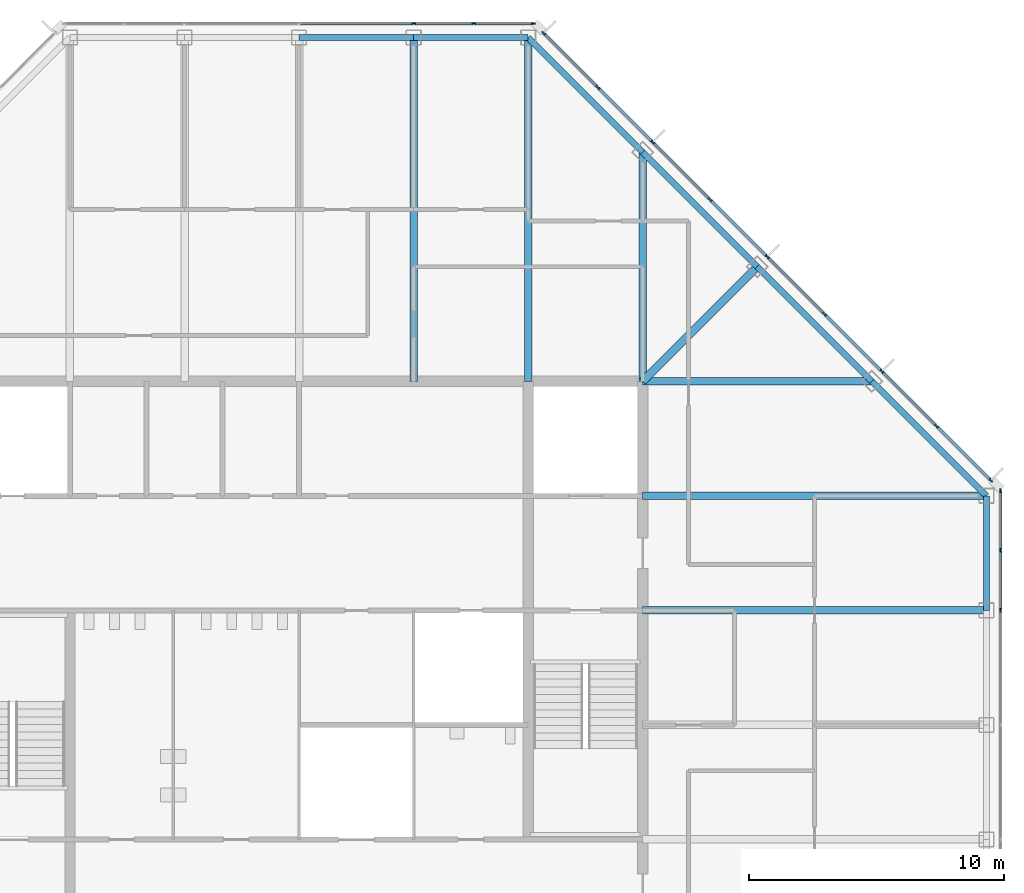
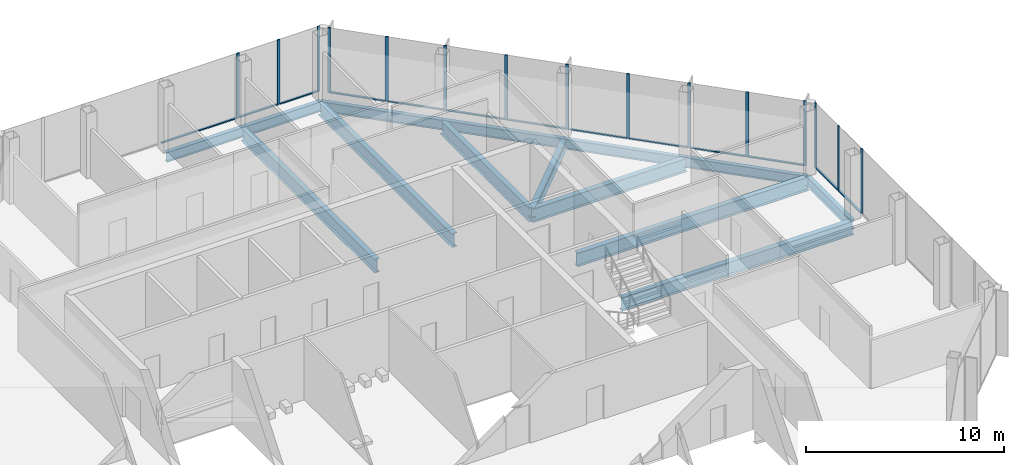
# One storey, part 7 of 14: 28 members, 14 beams, 3 elements without a shape of their own.
"""IFC4 building model written with IfcOpenShell, lengths in metres."""

import ifcopenshell
import ifcopenshell.guid

model = None  # the IFC model being written
_history = None  # IfcOwnerHistory: only IFC2X3 demands one
_inside = {}  # id of a spatial element -> (the spatial element, [elements in it])
_under = {}  # id of a project, library or spatial element -> (it, [spatial elements below it])
_declared = {}  # id of a project -> (the project, [libraries it declares])
_typed = {}  # id of a type object -> (the type object, [elements of that type])
_made_of = {}  # id of a material, layer set ... -> (it, [elements and type objects made of it])


def new_model(schema):
    """Start an empty IFC model of exactly this schema.

    Asked for "IFC4X3", IfcOpenShell would pick the latest addendum, in which some entities
    have other attributes; the version numbers below select the first issue.
    IFC2X3 requires an IfcOwnerHistory on every rooted entity: one is made here for all.
    """
    global model, _history
    if schema == "IFC4X3":
        model = ifcopenshell.file(schema_version=(4, 3, 0, 0))
    else:
        model = ifcopenshell.file(schema=schema)
    _inside.clear()
    _under.clear()
    _declared.clear()
    _typed.clear()
    _made_of.clear()
    _history = None
    if model.schema == "IFC2X3":
        org = make("IfcOrganization", Name="unknown")
        user = make(
            "IfcPersonAndOrganization",
            ThePerson=make("IfcPerson", FamilyName="unknown"),
            TheOrganization=org,
        )
        app = make(
            "IfcApplication",
            ApplicationDeveloper=org,
            Version="unknown",
            ApplicationFullName="unknown",
            ApplicationIdentifier="unknown",
        )
        _history = make(
            "IfcOwnerHistory",
            OwningUser=user,
            OwningApplication=app,
            ChangeAction="ADDED",
            CreationDate=0,
        )
    return model


def make(cls, **values):
    """One entity of the class cls with the attributes given. An attribute that is None is left unset."""
    return model.create_entity(
        cls, **{name: value for name, value in values.items() if value is not None}
    )


def rooted(cls, **values):
    """An entity with a GlobalId (a new one), such as an element, a storey or a relation."""
    return make(cls, GlobalId=ifcopenshell.guid.new(), OwnerHistory=_history, **values)


def si_unit(unit_type, name, prefix=None):
    """IfcSIUnit, for example si_unit("LENGTHUNIT", "METRE", prefix="MILLI")."""
    return make("IfcSIUnit", UnitType=unit_type, Prefix=prefix, Name=name)


def assignment(units):
    """IfcUnitAssignment: the units of a project."""
    return None if units is None else make("IfcUnitAssignment", Units=units)


def point(xyz):
    """IfcCartesianPoint."""
    return None if xyz is None else make("IfcCartesianPoint", Coordinates=xyz)


def direction(xyz):
    """IfcDirection."""
    return None if xyz is None else make("IfcDirection", DirectionRatios=xyz)


def frame(location, z_axis=None, x_axis=None):
    """IfcAxis2Placement3D, a coordinate frame: its origin and axes. An axis left out is left unset."""
    return make(
        "IfcAxis2Placement3D",
        Location=point(location),
        Axis=direction(z_axis),
        RefDirection=direction(x_axis),
    )


def frame_2d(location, x_axis=None):
    """IfcAxis2Placement2D, a coordinate frame in the plane: its origin and x axis."""
    return make(
        "IfcAxis2Placement2D", Location=point(location), RefDirection=direction(x_axis)
    )


def origin():
    """The frame at (0, 0, 0) with its axes left unset."""
    return frame((0.0, 0.0, 0.0))


def origin_2d():
    """The frame at (0, 0) in the plane with its x axis left unset."""
    return frame_2d((0.0, 0.0))


def place(relative_to, where):
    """IfcLocalPlacement: puts the frame where relative to a parent placement (None: the world)."""
    return make(
        "IfcLocalPlacement", PlacementRelTo=relative_to, RelativePlacement=where
    )


def context(
    kind, dimensions, precision=None, world=None, true_north=None, identifier=None
):
    """IfcGeometricRepresentationContext, for example the 3D "Model" context."""
    return make(
        "IfcGeometricRepresentationContext",
        ContextIdentifier=identifier,
        ContextType=kind,
        CoordinateSpaceDimension=dimensions,
        Precision=precision,
        WorldCoordinateSystem=world,
        TrueNorth=true_north,
    )


def subcontext(parent, identifier, kind, view, scale=None):
    """IfcGeometricRepresentationSubContext, for example "Body" below "Model"."""
    return make(
        "IfcGeometricRepresentationSubContext",
        ContextIdentifier=identifier,
        ContextType=kind,
        ParentContext=parent,
        TargetScale=scale,
        TargetView=view,
    )


def project(units=None, contexts=None):
    """IfcProject with its units and contexts."""
    return rooted(
        "IfcProject",
        Name="project",
        RepresentationContexts=contexts,
        UnitsInContext=assignment(units),
    )


def spatial(cls, under=None, at=None, **own):
    """A site, building, storey or space (cls), placed at a placement, below another one or the project."""
    s = rooted(cls, ObjectPlacement=at, **own)
    if under is not None:
        _under.setdefault(under.id(), (under, []))[1].append(s)
    return s


def profile(cls, at=None, kind="AREA", **sizes):
    """A parametric profile (cls). Its sizes go by their IFC names, for example OverallWidth=200.0."""
    return make(cls, ProfileType=kind, Position=at, **sizes)


def rectangle(**sizes):
    """IfcRectangleProfileDef."""
    return profile("IfcRectangleProfileDef", **sizes)


def i_section(**sizes):
    """IfcIShapeProfileDef."""
    return profile("IfcIShapeProfileDef", **sizes)


def extrude(swept, where, along, depth):
    """IfcExtrudedAreaSolid: the profile swept, set in the frame where, extruded along a direction by depth."""
    return make(
        "IfcExtrudedAreaSolid",
        SweptArea=swept,
        Position=where,
        ExtrudedDirection=direction(along),
        Depth=depth,
    )


def shape(context_of_items, identifier, shape_type, items):
    """IfcShapeRepresentation: the items that make up one representation, for example the "Body"."""
    return make(
        "IfcShapeRepresentation",
        ContextOfItems=context_of_items,
        RepresentationIdentifier=identifier,
        RepresentationType=shape_type,
        Items=items,
    )


def material(Name=None, Category=None):
    """IfcMaterial."""
    return make("IfcMaterial", Name=Name, Category=Category)


def material_profile(
    of_material, cross_section, Name=None, Category=None, Priority=None
):
    """IfcMaterialProfile: a cross section and its material."""
    return make(
        "IfcMaterialProfile",
        Name=Name,
        Material=of_material,
        Profile=cross_section,
        Priority=Priority,
        Category=Category,
    )


def profile_set(profiles, Name=None, composite=None):
    """IfcMaterialProfileSet."""
    return make(
        "IfcMaterialProfileSet",
        Name=Name,
        MaterialProfiles=profiles,
        CompositeProfile=composite,
    )


def made_of(thing, what):
    """Note that an element or type object is made of a material, layer set ...; save() writes the relation."""
    if what is not None:
        _made_of.setdefault(what.id(), (what, []))[1].append(thing)
    return thing


def type_object(cls, material=None, **own):
    """A type object (cls), such as IfcWallType, which elements share."""
    return made_of(rooted(cls, **own), material)


def element(
    cls,
    number,
    at=None,
    inside=None,
    cuts=None,
    type_object=None,
    material=None,
    context=None,
    identifier="Body",
    shape_type=None,
    held_by="IfcProductDefinitionShape",
    body=None,
    shapes=None,
    **own,
):
    """One element of the class cls, such as IfcWall. Its Tag is "e" and its number.

    at: its placement. inside: the storey or other place that contains it. cuts: it is an
    opening in that element (IfcRelVoidsElement). A single representation is given by context,
    identifier, shape_type and body (its items); several are given by shapes. held_by: the class
    of the entity that holds the representations. save() writes the other relations.
    """
    e = rooted(cls, Tag="e%d" % number, ObjectPlacement=at, **own)
    if body is not None:
        shapes = [shape(context, identifier, shape_type, body)]
    if shapes is not None:
        e.Representation = make(held_by, Representations=shapes)
    if inside is not None:
        _inside.setdefault(inside.id(), (inside, []))[1].append(e)
    if cuts is not None:
        rooted(
            "IfcRelVoidsElement", RelatingBuildingElement=cuts, RelatedOpeningElement=e
        )
    if type_object is not None:
        _typed.setdefault(type_object.id(), (type_object, []))[1].append(e)
    return made_of(e, material)


def aggregate(whole, parts):
    """IfcRelAggregates: a whole, such as a stair, and the parts it consists of."""
    return rooted("IfcRelAggregates", RelatingObject=whole, RelatedObjects=parts)


def save(model, path):
    """Write the relations noted so far, then the file.

    IfcRelAggregates (storeys below a building ...), IfcRelContainedInSpatialStructure (elements
    in a storey), IfcRelDefinesByType, IfcRelAssociatesMaterial and IfcRelDeclares: one each for
    every whole, place, type object, material and project.
    """
    for whole, parts in _under.values():
        aggregate(whole, parts)
    for where, things in _inside.values():
        rooted(
            "IfcRelContainedInSpatialStructure",
            RelatedElements=things,
            RelatingStructure=where,
        )
    for kind, things in _typed.values():
        rooted("IfcRelDefinesByType", RelatedObjects=things, RelatingType=kind)
    for what, things in _made_of.values():
        rooted("IfcRelAssociatesMaterial", RelatedObjects=things, RelatingMaterial=what)
    for by, libraries in _declared.values():
        rooted("IfcRelDeclares", RelatingContext=by, RelatedDefinitions=libraries)
    model.write(path)


model = new_model("IFC4")

# Units and contexts
model_context = context("Model", 3, precision=1e-05, world=origin(), true_north=direction((0.0, 1.0)))
body_context = subcontext(model_context, "Body", "Model", "MODEL_VIEW")
ifc_project = project(units=[si_unit("LENGTHUNIT", "METRE"), si_unit("AREAUNIT", "SQUARE_METRE"), si_unit("VOLUMEUNIT", "CUBIC_METRE"), si_unit("PLANEANGLEUNIT", "RADIAN"), si_unit("MASSUNIT", "GRAM", prefix="KILO")], contexts=[model_context])

# Site, building, storey
site_placement = place(None, origin())
site = spatial("IfcSite", under=ifc_project, at=site_placement, CompositionType="ELEMENT")
building_placement = place(site_placement, origin())
building = spatial("IfcBuilding", under=site, at=building_placement, Name="Corais Broadcast Tower", CompositionType="ELEMENT")
storey_placement = place(building_placement, frame((0.0, 0.0, 290.60009765625)))
storey = spatial("IfcBuildingStorey", under=building, at=storey_placement, Name="L68", CompositionType="ELEMENT", Elevation=290.60009765625)

# Beams
ifc_material_1 = material(Name="Steel ASTM A572 Grade 50", Category="steel")
ifc_material_profile_1 = material_profile(ifc_material_1, i_section(OverallWidth=0.323974609375, OverallDepth=0.611083984375, WebThickness=0.0126953125, FlangeThickness=0.01904296875, at=origin_2d()), Name="W610x155")
ifc_profile_set_1 = profile_set([ifc_material_profile_1], Name="Steel ASTM A572 Grade 50")
beam_type_1 = type_object("IfcBeamType", Name="Corner diagonal W610x155", PredefinedType="BEAM", material=ifc_profile_set_1)
beam_1_placement = place(storey_placement, frame((45.0, 45.0, -0.465576171875), z_axis=(-0.707106781187, -0.707106781187, 0.0), x_axis=(0.707106781187, -0.707106781187, 0.0)))
element("IfcBeam", 1, at=beam_1_placement, inside=storey, type_object=beam_type_1, Name="B6 L/13 to K/12", PredefinedType="BEAM", context=body_context, shape_type="SweptSolid", body=[
    extrude(i_section(OverallWidth=0.323974609375, OverallDepth=0.611083984375, WebThickness=0.0126953125, FlangeThickness=0.01904296875, at=origin_2d()), origin(), (0.0, 0.0, 1.0), 6.364013671875),
])
ifc_material_2 = material(Name="Steel ASTM A572 Grade 50", Category="steel")
ifc_material_profile_2 = material_profile(ifc_material_2, i_section(OverallWidth=0.2939453125, OverallDepth=0.85107421875, WebThickness=0.01611328125, FlangeThickness=0.02685546875, at=origin_2d()), Name="W840x226")
ifc_profile_set_2 = profile_set([ifc_material_profile_2], Name="Steel ASTM A572 Grade 50")
beam_type_2 = type_object("IfcBeamType", Name="Floor beam W840x226", PredefinedType="BEAM", material=ifc_profile_set_2)
for number, where, z_axis, x_axis, name in (
    (2, (31.5, 54.0, -0.585693359375), (0.0, -1.0, 0.0), (1.0, 0.0, 0.0), "B1 N/10 to K/10"),
    (3, (36.0, 54.0, -0.585693359375), (0.0, -1.0, 0.0), (1.0, 0.0, 0.0), "B1 N/11 to K/11"),
):
    element("IfcBeam", number, at=place(storey_placement, frame(where, z_axis=z_axis, x_axis=x_axis)), inside=storey, type_object=beam_type_2, Name=name, PredefinedType="BEAM", context=body_context, shape_type="SweptSolid", body=[
        extrude(i_section(OverallWidth=0.2939453125, OverallDepth=0.85107421875, WebThickness=0.01611328125, FlangeThickness=0.02685546875, at=origin_2d()), origin(), (0.0, 0.0, 1.0), 13.5),
    ])
for number, where, z_axis, x_axis, name in (
    (4, (40.5, 49.5, -0.585693359375), (0.0, -1.0, 0.0), (1.0, 0.0, 0.0), "B1 M/12 to K/12"),
    (5, (49.5, 40.5, -0.585693359375), (-1.0, 0.0, 0.0), (0.0, -1.0, 0.0), "B1 K/14 to K/12"),
):
    element("IfcBeam", number, at=place(storey_placement, frame(where, z_axis=z_axis, x_axis=x_axis)), inside=storey, type_object=beam_type_2, Name=name, PredefinedType="BEAM", context=body_context, shape_type="SweptSolid", body=[
        extrude(i_section(OverallWidth=0.2939453125, OverallDepth=0.85107421875, WebThickness=0.01611328125, FlangeThickness=0.02685546875, at=origin_2d()), origin(), (0.0, 0.0, 1.0), 9.0),
    ])
for number, where, z_axis, x_axis, name in (
    (6, (54.0, 31.5, -0.585693359375), (-1.0, 0.0, 0.0), (0.0, -1.0, 0.0), "B1 H/15 to H/12"),
    (7, (54.0, 36.0, -0.585693359375), (-1.0, 0.0, 0.0), (0.0, -1.0, 0.0), "B1 J/15 to J/12"),
):
    element("IfcBeam", number, at=place(storey_placement, frame(where, z_axis=z_axis, x_axis=x_axis)), inside=storey, type_object=beam_type_2, Name=name, PredefinedType="BEAM", context=body_context, shape_type="SweptSolid", body=[
        extrude(i_section(OverallWidth=0.2939453125, OverallDepth=0.85107421875, WebThickness=0.01611328125, FlangeThickness=0.02685546875, at=origin_2d()), origin(), (0.0, 0.0, 1.0), 13.5),
    ])

# Curtain wall, members
ifc_material_3 = material(Name="Aluminium and glass", Category="aluminium")
curtain_wall_type = type_object("IfcCurtainWallType", Name="Unitised fritted curtain wall CW3", PredefinedType="NOTDEFINED", material=ifc_material_3)
curtain_wall_1_placement = place(storey_placement, origin())
curtain_wall_1 = element("IfcCurtainWall", 8, at=curtain_wall_1_placement, inside=storey, type_object=curtain_wall_type, Name="CW3 curtain wall L68 4", PredefinedType="NOTDEFINED")
ifc_material_4 = material(Name="Aluminium 6063-T6", Category="aluminium")
ifc_material_profile_3 = material_profile(ifc_material_4, rectangle(XDim=0.06494140625, YDim=0.159912109375, at=origin_2d()), Name="Mullion CW3 65x160")
ifc_profile_set_3 = profile_set([ifc_material_profile_3], Name="Aluminium 6063-T6")
member_type_1 = type_object("IfcMemberType", Name="Mullion CW3 65x160", PredefinedType="MULLION", material=ifc_profile_set_3)
member_1_placement = place(storey_placement, frame((31.5, 54.550048828125, 0.0), z_axis=(0.0, 0.0, 1.0), x_axis=(0.0, 1.0, 0.0)))
member_1 = element("IfcMember", 9, at=member_1_placement, type_object=member_type_1, Name="CW3 mullion 5", PredefinedType="MULLION", context=body_context, shape_type="SweptSolid", body=[
    extrude(rectangle(XDim=0.06494140625, YDim=0.159912109375, at=origin_2d()), origin(), (0.0, 0.0, 1.0), 4.0),
])
member_2_placement = place(storey_placement, frame((33.864013671875, 54.550048828125, 0.0), z_axis=(0.0, 0.0, 1.0), x_axis=(0.0, 1.0, 0.0)))
member_2 = element("IfcMember", 10, at=member_2_placement, type_object=member_type_1, Name="CW3 mullion 6", PredefinedType="MULLION", context=body_context, shape_type="SweptSolid", body=[
    extrude(rectangle(XDim=0.06494140625, YDim=0.159912109375, at=origin_2d()), origin(), (0.0, 0.0, 1.0), 4.0),
])
member_3_placement = place(storey_placement, frame((36.1953125, 54.550048828125, 0.0), z_axis=(0.0, 0.0, 1.0), x_axis=(0.0, 1.0, 0.0)))
member_3 = element("IfcMember", 11, at=member_3_placement, type_object=member_type_1, Name="CW3 mullion 7", PredefinedType="MULLION", context=body_context, shape_type="SweptSolid", body=[
    extrude(rectangle(XDim=0.06494140625, YDim=0.159912109375, at=origin_2d()), origin(), (0.0, 0.0, 1.0), 4.0),
])

curtain_wall_2_placement = place(storey_placement, origin())
curtain_wall_2 = element("IfcCurtainWall", 12, at=curtain_wall_2_placement, inside=storey, type_object=curtain_wall_type, Name="CW3 curtain wall L68 5", PredefinedType="NOTDEFINED")
member_4_placement = place(storey_placement, frame((36.6044921875, 54.17333984375, 0.0), z_axis=(0.0, 0.0, 1.0), x_axis=(0.707106781187, 0.707106781187, 0.0)))
member_4 = element("IfcMember", 13, at=member_4_placement, type_object=member_type_1, Name="CW3 mullion 1", PredefinedType="MULLION", context=body_context, shape_type="SweptSolid", body=[
    extrude(rectangle(XDim=0.06494140625, YDim=0.159912109375, at=origin_2d()), origin(), (0.0, 0.0, 1.0), 4.0),
])
member_5_placement = place(storey_placement, frame((38.735107421875, 52.042724609375, 0.0), z_axis=(0.0, 0.0, 1.0), x_axis=(0.707106781187, 0.707106781187, 0.0)))
member_5 = element("IfcMember", 14, at=member_5_placement, type_object=member_type_1, Name="CW3 mullion 2", PredefinedType="MULLION", context=body_context, shape_type="SweptSolid", body=[
    extrude(rectangle(XDim=0.06494140625, YDim=0.159912109375, at=origin_2d()), origin(), (0.0, 0.0, 1.0), 4.0),
])
member_6_placement = place(storey_placement, frame((40.888916015625, 49.888916015625, 0.0), z_axis=(0.0, 0.0, 1.0), x_axis=(0.707106781187, 0.707106781187, 0.0)))
member_6 = element("IfcMember", 15, at=member_6_placement, type_object=member_type_1, Name="CW3 mullion 3", PredefinedType="MULLION", context=body_context, shape_type="SweptSolid", body=[
    extrude(rectangle(XDim=0.06494140625, YDim=0.159912109375, at=origin_2d()), origin(), (0.0, 0.0, 1.0), 4.0),
])
member_7_placement = place(storey_placement, frame((43.138916015625, 47.638916015625, 0.0), z_axis=(0.0, 0.0, 1.0), x_axis=(0.707106781187, 0.707106781187, 0.0)))
member_7 = element("IfcMember", 16, at=member_7_placement, type_object=member_type_1, Name="CW3 mullion 4", PredefinedType="MULLION", context=body_context, shape_type="SweptSolid", body=[
    extrude(rectangle(XDim=0.06494140625, YDim=0.159912109375, at=origin_2d()), origin(), (0.0, 0.0, 1.0), 4.0),
])
member_8_placement = place(storey_placement, frame((45.388916015625, 45.388916015625, 0.0), z_axis=(0.0, 0.0, 1.0), x_axis=(0.707106781187, 0.707106781187, 0.0)))
member_8 = element("IfcMember", 17, at=member_8_placement, type_object=member_type_1, Name="CW3 mullion 5", PredefinedType="MULLION", context=body_context, shape_type="SweptSolid", body=[
    extrude(rectangle(XDim=0.06494140625, YDim=0.159912109375, at=origin_2d()), origin(), (0.0, 0.0, 1.0), 4.0),
])
member_9_placement = place(storey_placement, frame((47.638916015625, 43.138916015625, 0.0), z_axis=(0.0, 0.0, 1.0), x_axis=(0.707106781187, 0.707106781187, 0.0)))
member_9 = element("IfcMember", 18, at=member_9_placement, type_object=member_type_1, Name="CW3 mullion 6", PredefinedType="MULLION", context=body_context, shape_type="SweptSolid", body=[
    extrude(rectangle(XDim=0.06494140625, YDim=0.159912109375, at=origin_2d()), origin(), (0.0, 0.0, 1.0), 4.0),
])
member_10_placement = place(storey_placement, frame((49.888916015625, 40.888916015625, 0.0), z_axis=(0.0, 0.0, 1.0), x_axis=(0.707106781187, 0.707106781187, 0.0)))
member_10 = element("IfcMember", 19, at=member_10_placement, type_object=member_type_1, Name="CW3 mullion 7", PredefinedType="MULLION", context=body_context, shape_type="SweptSolid", body=[
    extrude(rectangle(XDim=0.06494140625, YDim=0.159912109375, at=origin_2d()), origin(), (0.0, 0.0, 1.0), 4.0),
])
member_11_placement = place(storey_placement, frame((52.042724609375, 38.735107421875, 0.0), z_axis=(0.0, 0.0, 1.0), x_axis=(0.707106781187, 0.707106781187, 0.0)))
member_11 = element("IfcMember", 20, at=member_11_placement, type_object=member_type_1, Name="CW3 mullion 8", PredefinedType="MULLION", context=body_context, shape_type="SweptSolid", body=[
    extrude(rectangle(XDim=0.06494140625, YDim=0.159912109375, at=origin_2d()), origin(), (0.0, 0.0, 1.0), 4.0),
])
member_12_placement = place(storey_placement, frame((54.17333984375, 36.6044921875, 0.0), z_axis=(0.0, 0.0, 1.0), x_axis=(0.707106781187, 0.707106781187, 0.0)))
member_12 = element("IfcMember", 21, at=member_12_placement, type_object=member_type_1, Name="CW3 mullion 9", PredefinedType="MULLION", context=body_context, shape_type="SweptSolid", body=[
    extrude(rectangle(XDim=0.06494140625, YDim=0.159912109375, at=origin_2d()), origin(), (0.0, 0.0, 1.0), 4.0),
])

curtain_wall_3_placement = place(storey_placement, origin())
curtain_wall_3 = element("IfcCurtainWall", 22, at=curtain_wall_3_placement, inside=storey, type_object=curtain_wall_type, Name="CW3 curtain wall L68 6", PredefinedType="NOTDEFINED")
member_13_placement = place(storey_placement, frame((54.550048828125, 36.1953125, 0.0), z_axis=(0.0, 0.0, 1.0), x_axis=(1.0, 0.0, 0.0)))
member_13 = element("IfcMember", 23, at=member_13_placement, type_object=member_type_1, Name="CW3 mullion 1", PredefinedType="MULLION", context=body_context, shape_type="SweptSolid", body=[
    extrude(rectangle(XDim=0.06494140625, YDim=0.159912109375, at=origin_2d()), origin(), (0.0, 0.0, 1.0), 4.0),
])
member_14_placement = place(storey_placement, frame((54.550048828125, 33.864013671875, 0.0), z_axis=(0.0, 0.0, 1.0), x_axis=(1.0, 0.0, 0.0)))
member_14 = element("IfcMember", 24, at=member_14_placement, type_object=member_type_1, Name="CW3 mullion 2", PredefinedType="MULLION", context=body_context, shape_type="SweptSolid", body=[
    extrude(rectangle(XDim=0.06494140625, YDim=0.159912109375, at=origin_2d()), origin(), (0.0, 0.0, 1.0), 4.0),
])
member_15_placement = place(storey_placement, frame((54.550048828125, 31.5, 0.0), z_axis=(0.0, 0.0, 1.0), x_axis=(1.0, 0.0, 0.0)))
member_15 = element("IfcMember", 25, at=member_15_placement, type_object=member_type_1, Name="CW3 mullion 3", PredefinedType="MULLION", context=body_context, shape_type="SweptSolid", body=[
    extrude(rectangle(XDim=0.06494140625, YDim=0.159912109375, at=origin_2d()), origin(), (0.0, 0.0, 1.0), 4.0),
])

# Beams
ifc_material_5 = material(Name="Steel ASTM A572 Grade 50", Category="steel")
ifc_material_profile_4 = material_profile(ifc_material_5, i_section(OverallWidth=0.22998046875, OverallDepth=0.616943359375, WebThickness=0.01318359375, FlangeThickness=0.022216796875, at=origin_2d()), Name="W610x140")
ifc_profile_set_4 = profile_set([ifc_material_profile_4], Name="Steel ASTM A572 Grade 50")
beam_type_3 = type_object("IfcBeamType", Name="Spandrel W610x140", PredefinedType="BEAM", material=ifc_profile_set_4)
for number, where, z_axis, x_axis, name in (
    (26, (31.5, 54.0, -0.468505859375), (-1.0, 0.0, 0.0), (0.0, -1.0, 0.0), "SB3 N/10 to N/9"),
    (27, (36.0, 54.0, -0.468505859375), (-1.0, 0.0, 0.0), (0.0, -1.0, 0.0), "SB3 N/11 to N/10"),
):
    element("IfcBeam", number, at=place(storey_placement, frame(where, z_axis=z_axis, x_axis=x_axis)), inside=storey, type_object=beam_type_3, Name=name, PredefinedType="BEAM", context=body_context, shape_type="SweptSolid", body=[
        extrude(i_section(OverallWidth=0.22998046875, OverallDepth=0.616943359375, WebThickness=0.01318359375, FlangeThickness=0.022216796875, at=origin_2d()), origin(), (0.0, 0.0, 1.0), 4.5),
    ])
for number, where, z_axis, x_axis, name in (
    (28, (40.5, 49.5, -0.468505859375), (-0.707106781187, 0.707106781187, 0.0), (-0.707106781187, -0.707106781187, 0.0), "SB3 M/12 to N/11"),
    (29, (45.0, 45.0, -0.468505859375), (-0.707106781187, 0.707106781187, 0.0), (-0.707106781187, -0.707106781187, 0.0), "SB3 L/13 to M/12"),
    (30, (49.5, 40.5, -0.468505859375), (-0.707106781187, 0.707106781187, 0.0), (-0.707106781187, -0.707106781187, 0.0), "SB3 K/14 to L/13"),
):
    element("IfcBeam", number, at=place(storey_placement, frame(where, z_axis=z_axis, x_axis=x_axis)), inside=storey, type_object=beam_type_3, Name=name, PredefinedType="BEAM", context=body_context, shape_type="SweptSolid", body=[
        extrude(i_section(OverallWidth=0.22998046875, OverallDepth=0.616943359375, WebThickness=0.01318359375, FlangeThickness=0.022216796875, at=origin_2d()), origin(), (0.0, 0.0, 1.0), 6.364013671875),
    ])
beam_2_placement = place(storey_placement, frame((54.0, 31.5, -0.468505859375), z_axis=(0.0, 1.0, 0.0), x_axis=(-1.0, 0.0, 0.0)))
element("IfcBeam", 31, at=beam_2_placement, inside=storey, type_object=beam_type_3, Name="SB3 H/15 to J/15", PredefinedType="BEAM", context=body_context, shape_type="SweptSolid", body=[
    extrude(i_section(OverallWidth=0.22998046875, OverallDepth=0.616943359375, WebThickness=0.01318359375, FlangeThickness=0.022216796875, at=origin_2d()), origin(), (0.0, 0.0, 1.0), 4.5),
])
beam_3_placement = place(storey_placement, frame((54.0, 36.0, -0.468505859375), z_axis=(-0.707106781187, 0.707106781187, 0.0), x_axis=(-0.707106781187, -0.707106781187, 0.0)))
element("IfcBeam", 32, at=beam_3_placement, inside=storey, type_object=beam_type_3, Name="SB3 J/15 to K/14", PredefinedType="BEAM", context=body_context, shape_type="SweptSolid", body=[
    extrude(i_section(OverallWidth=0.22998046875, OverallDepth=0.616943359375, WebThickness=0.01318359375, FlangeThickness=0.022216796875, at=origin_2d()), origin(), (0.0, 0.0, 1.0), 6.364013671875),
])

# Member
ifc_material_6 = material(Name="Aluminium 6063-T6", Category="aluminium")
ifc_material_profile_5 = material_profile(ifc_material_6, rectangle(XDim=0.1201171875, YDim=0.06494140625, at=origin_2d()), Name="Transom CW3 65x120")
ifc_profile_set_5 = profile_set([ifc_material_profile_5], Name="Aluminium 6063-T6")
member_type_2 = type_object("IfcMemberType", Name="Transom CW3 65x120", PredefinedType="USERDEFINED", material=ifc_profile_set_5)
member_16_placement = place(storey_placement, frame((27.032470703125, 54.550048828125, 0.032470703125), z_axis=(1.0, 0.0, 0.0), x_axis=(0.0, 1.0, 0.0)))
member_16 = element("IfcMember", 33, at=member_16_placement, type_object=member_type_2, Name="CW3 transom 4.1", ObjectType="TRANSOM", PredefinedType="USERDEFINED", context=body_context, shape_type="SweptSolid", body=[
    extrude(rectangle(XDim=0.1201171875, YDim=0.06494140625, at=origin_2d()), origin(), (0.0, 0.0, 1.0), 4.43505859375),
])

member_17_placement = place(storey_placement, frame((31.532470703125, 54.550048828125, 0.032470703125), z_axis=(1.0, 0.0, 0.0), x_axis=(0.0, 1.0, 0.0)))
member_17 = element("IfcMember", 34, at=member_17_placement, type_object=member_type_2, Name="CW3 transom 5.1", ObjectType="TRANSOM", PredefinedType="USERDEFINED", context=body_context, shape_type="SweptSolid", body=[
    extrude(rectangle(XDim=0.1201171875, YDim=0.06494140625, at=origin_2d()), origin(), (0.0, 0.0, 1.0), 2.298828125),
])

member_18_placement = place(storey_placement, frame((33.896484375, 54.550048828125, 0.032470703125), z_axis=(1.0, 0.0, 0.0), x_axis=(0.0, 1.0, 0.0)))
member_18 = element("IfcMember", 35, at=member_18_placement, type_object=member_type_2, Name="CW3 transom 6.1", ObjectType="TRANSOM", PredefinedType="USERDEFINED", context=body_context, shape_type="SweptSolid", body=[
    extrude(rectangle(XDim=0.1201171875, YDim=0.06494140625, at=origin_2d()), origin(), (0.0, 0.0, 1.0), 2.266357421875),
])

aggregate(curtain_wall_1, [member_1, member_2, member_3, member_16, member_17, member_18])

member_19_placement = place(storey_placement, frame((36.62744140625, 54.150390625, 0.032470703125), z_axis=(0.707106781187, -0.707106781187, 0.0), x_axis=(0.707106781187, 0.707106781187, 0.0)))
member_19 = element("IfcMember", 36, at=member_19_placement, type_object=member_type_2, Name="CW3 transom 1.1", ObjectType="TRANSOM", PredefinedType="USERDEFINED", context=body_context, shape_type="SweptSolid", body=[
    extrude(rectangle(XDim=0.1201171875, YDim=0.06494140625, at=origin_2d()), origin(), (0.0, 0.0, 1.0), 2.9482421875),
])

member_20_placement = place(storey_placement, frame((38.758056640625, 52.019775390625, 0.032470703125), z_axis=(0.707106781187, -0.707106781187, 0.0), x_axis=(0.707106781187, 0.707106781187, 0.0)))
member_20 = element("IfcMember", 37, at=member_20_placement, type_object=member_type_2, Name="CW3 transom 2.1", ObjectType="TRANSOM", PredefinedType="USERDEFINED", context=body_context, shape_type="SweptSolid", body=[
    extrude(rectangle(XDim=0.1201171875, YDim=0.06494140625, at=origin_2d()), origin(), (0.0, 0.0, 1.0), 2.98095703125),
])

member_21_placement = place(storey_placement, frame((40.911865234375, 49.865966796875, 0.032470703125), z_axis=(0.707106781187, -0.707106781187, 0.0), x_axis=(0.707106781187, 0.707106781187, 0.0)))
member_21 = element("IfcMember", 38, at=member_21_placement, type_object=member_type_2, Name="CW3 transom 3.1", ObjectType="TRANSOM", PredefinedType="USERDEFINED", context=body_context, shape_type="SweptSolid", body=[
    extrude(rectangle(XDim=0.1201171875, YDim=0.06494140625, at=origin_2d()), origin(), (0.0, 0.0, 1.0), 3.1171875),
])

member_22_placement = place(storey_placement, frame((43.161865234375, 47.615966796875, 0.032470703125), z_axis=(0.707106781187, -0.707106781187, 0.0), x_axis=(0.707106781187, 0.707106781187, 0.0)))
member_22 = element("IfcMember", 39, at=member_22_placement, type_object=member_type_2, Name="CW3 transom 4.1", ObjectType="TRANSOM", PredefinedType="USERDEFINED", context=body_context, shape_type="SweptSolid", body=[
    extrude(rectangle(XDim=0.1201171875, YDim=0.06494140625, at=origin_2d()), origin(), (0.0, 0.0, 1.0), 3.1171875),
])

member_23_placement = place(storey_placement, frame((45.411865234375, 45.365966796875, 0.032470703125), z_axis=(0.707106781187, -0.707106781187, 0.0), x_axis=(0.707106781187, 0.707106781187, 0.0)))
member_23 = element("IfcMember", 40, at=member_23_placement, type_object=member_type_2, Name="CW3 transom 5.1", ObjectType="TRANSOM", PredefinedType="USERDEFINED", context=body_context, shape_type="SweptSolid", body=[
    extrude(rectangle(XDim=0.1201171875, YDim=0.06494140625, at=origin_2d()), origin(), (0.0, 0.0, 1.0), 3.1171875),
])

member_24_placement = place(storey_placement, frame((47.661865234375, 43.115966796875, 0.032470703125), z_axis=(0.707106781187, -0.707106781187, 0.0), x_axis=(0.707106781187, 0.707106781187, 0.0)))
member_24 = element("IfcMember", 41, at=member_24_placement, type_object=member_type_2, Name="CW3 transom 6.1", ObjectType="TRANSOM", PredefinedType="USERDEFINED", context=body_context, shape_type="SweptSolid", body=[
    extrude(rectangle(XDim=0.1201171875, YDim=0.06494140625, at=origin_2d()), origin(), (0.0, 0.0, 1.0), 3.1171875),
])

member_25_placement = place(storey_placement, frame((49.911865234375, 40.865966796875, 0.032470703125), z_axis=(0.707065828661, -0.70714773134, 0.0), x_axis=(0.70714773134, 0.707065828661, 0.0)))
member_25 = element("IfcMember", 42, at=member_25_placement, type_object=member_type_2, Name="CW3 transom 7.1", ObjectType="TRANSOM", PredefinedType="USERDEFINED", context=body_context, shape_type="SweptSolid", body=[
    extrude(rectangle(XDim=0.1201171875, YDim=0.06494140625, at=origin_2d()), origin(), (0.0, 0.0, 1.0), 2.98095703125),
])

member_26_placement = place(storey_placement, frame((52.065673828125, 38.712158203125, 0.032470703125), z_axis=(0.707106781187, -0.707106781187, 0.0), x_axis=(0.707106781187, 0.707106781187, 0.0)))
member_26 = element("IfcMember", 43, at=member_26_placement, type_object=member_type_2, Name="CW3 transom 8.1", ObjectType="TRANSOM", PredefinedType="USERDEFINED", context=body_context, shape_type="SweptSolid", body=[
    extrude(rectangle(XDim=0.1201171875, YDim=0.06494140625, at=origin_2d()), origin(), (0.0, 0.0, 1.0), 2.9482421875),
])

aggregate(curtain_wall_2, [member_4, member_5, member_6, member_7, member_8, member_9, member_10, member_11, member_12, member_19, member_20, member_21, member_22, member_23, member_24, member_25, member_26])

member_27_placement = place(storey_placement, frame((54.550048828125, 36.162841796875, 0.032470703125), z_axis=(0.0, -1.0, 0.0), x_axis=(1.0, 0.0, 0.0)))
member_27 = element("IfcMember", 44, at=member_27_placement, type_object=member_type_2, Name="CW3 transom 1.1", ObjectType="TRANSOM", PredefinedType="USERDEFINED", context=body_context, shape_type="SweptSolid", body=[
    extrude(rectangle(XDim=0.1201171875, YDim=0.06494140625, at=origin_2d()), origin(), (0.0, 0.0, 1.0), 2.266357421875),
])

member_28_placement = place(storey_placement, frame((54.550048828125, 33.831298828125, 0.032470703125), z_axis=(0.0, -1.0, 0.0), x_axis=(1.0, 0.0, 0.0)))
member_28 = element("IfcMember", 45, at=member_28_placement, type_object=member_type_2, Name="CW3 transom 2.1", ObjectType="TRANSOM", PredefinedType="USERDEFINED", context=body_context, shape_type="SweptSolid", body=[
    extrude(rectangle(XDim=0.1201171875, YDim=0.06494140625, at=origin_2d()), origin(), (0.0, 0.0, 1.0), 2.298828125),
])

aggregate(curtain_wall_3, [member_13, member_14, member_15, member_27, member_28])

save(model, "model.ifc")
